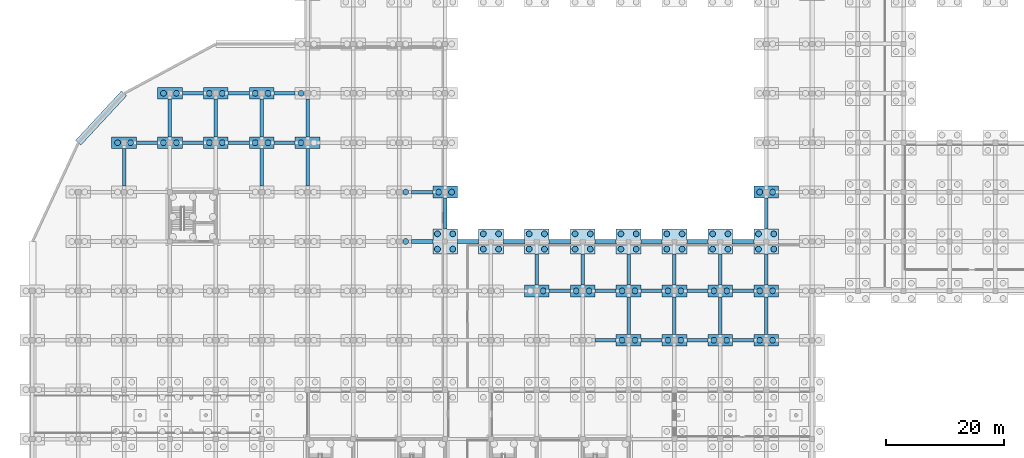
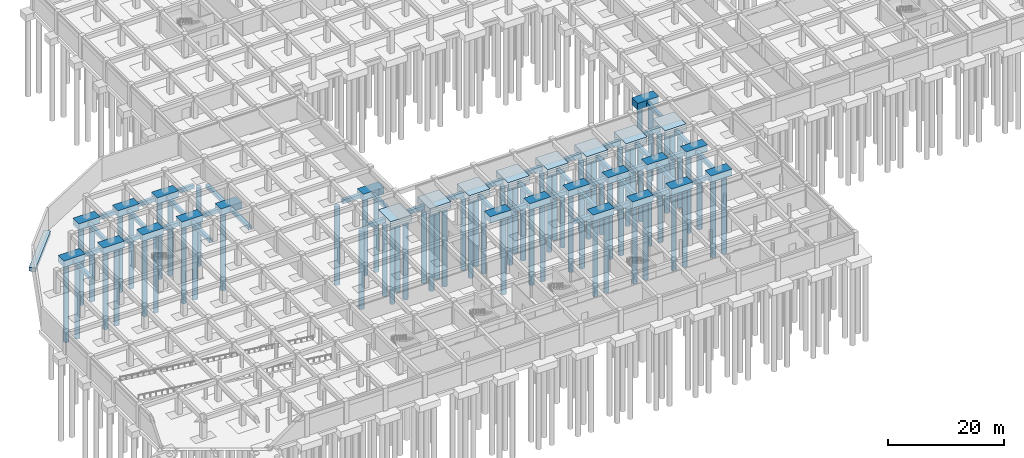
# One storey, part 5 of 31: 73 footings, 73 piles.
"""IFC4 building model written with IfcOpenShell, lengths in metres."""

from ifc_helpers import new_model, si_unit, direction, frame, origin, origin_2d, place, context, subcontext, project, spatial, rectangle, circle, extrude, material, material_profile, profile_set, type_object, element, save


model = new_model("IFC4")

# Units and contexts
model_context = context("Model", 3, precision=1e-05, world=origin(), true_north=direction((0.0, 1.0)))
body_context = subcontext(model_context, "Body", "Model", "MODEL_VIEW")
ifc_project = project(units=[si_unit("LENGTHUNIT", "METRE"), si_unit("AREAUNIT", "SQUARE_METRE"), si_unit("VOLUMEUNIT", "CUBIC_METRE"), si_unit("PLANEANGLEUNIT", "RADIAN"), si_unit("MASSUNIT", "GRAM", prefix="KILO")], contexts=[model_context])

# Site, building, storey
site_placement = place(None, origin())
site = spatial("IfcSite", under=ifc_project, at=site_placement, CompositionType="ELEMENT")
building_placement = place(site_placement, origin())
building = spatial("IfcBuilding", under=site, at=building_placement, Name="Zizhar Promenade General Hospital", CompositionType="ELEMENT")
storey_placement = place(building_placement, frame((0.0, 0.0, -4.800048828125)))
storey = spatial("IfcBuildingStorey", under=building, at=storey_placement, Name="B1", CompositionType="ELEMENT", Elevation=-4.800048828125)

# Footings
ifc_material_1 = material(Name="Concrete C30/37", Category="concrete")
footing_type_1 = type_object("IfcFootingType", Name="FTG-CAP2-4000", PredefinedType="PILE_CAP", material=ifc_material_1)
for number, where, z_axis, x_axis, name in (
    (1, (15.60009765625, 67.199951171875, -1.39990234375), (0.0, 0.0, 1.0), (1.0, 0.0, 0.0), "Pile Cap 3-J"),
    (2, (23.39990234375, 67.199951171875, -1.39990234375), (0.0, 0.0, 1.0), (1.0, 0.0, 0.0), "Pile Cap 4-J"),
    (3, (23.39990234375, 75.60009765625, -1.39990234375), (0.0, 0.0, 1.0), (1.0, 0.0, 0.0), "Pile Cap 4-K"),
    (4, (31.199951171875, 67.199951171875, -1.39990234375), (0.0, 0.0, 1.0), (1.0, 0.0, 0.0), "Pile Cap 5-J"),
    (5, (31.199951171875, 75.60009765625, -1.39990234375), (0.0, 0.0, 1.0), (1.0, 0.0, 0.0), "Pile Cap 5-K"),
    (6, (39.0, 67.199951171875, -1.39990234375), (0.0, 0.0, 1.0), (1.0, 0.0, 0.0), "Pile Cap 6-J"),
    (7, (39.0, 75.60009765625, -1.39990234375), (0.0, 0.0, 1.0), (1.0, 0.0, 0.0), "Pile Cap 6-K"),
    (8, (46.800048828125, 67.199951171875, -1.39990234375), (0.0, 0.0, 1.0), (1.0, 0.0, 0.0), "Pile Cap 7-J"),
    (9, (70.199951171875, 58.800048828125, -1.39990234375), (0.0, 0.0, 1.0), (1.0, 0.0, 0.0), "Pile Cap 10-H"),
    (10, (85.800048828125, 42.0, -1.39990234375), (0.0, 0.0, 1.0), (1.0, 0.0, 0.0), "Pile Cap 12-F"),
    (11, (93.60009765625, 42.0, -1.39990234375), (0.0, 0.0, 1.0), (1.0, 0.0, 0.0), "Pile Cap 13-F"),
    (12, (101.39990234375, 33.60009765625, -1.39990234375), (0.0, 0.0, 1.0), (1.0, 0.0, 0.0), "Pile Cap 14-E"),
    (13, (101.39990234375, 42.0, -1.39990234375), (0.0, 0.0, 1.0), (1.0, 0.0, 0.0), "Pile Cap 14-F"),
    (14, (109.199951171875, 33.60009765625, -1.39990234375), (0.0, 0.0, 1.0), (1.0, 0.0, 0.0), "Pile Cap 15-E"),
    (15, (109.199951171875, 42.0, -1.39990234375), (0.0, 0.0, 1.0), (1.0, 0.0, 0.0), "Pile Cap 15-F"),
    (16, (117.0, 33.60009765625, -1.39990234375), (0.0, 0.0, 1.0), (1.0, 0.0, 0.0), "Pile Cap 16-E"),
    (17, (117.0, 42.0, -1.39990234375), (0.0, 0.0, 1.0), (1.0, 0.0, 0.0), "Pile Cap 16-F"),
    (18, (124.800048828125, 33.60009765625, -1.39990234375), (0.0, 0.0, 1.0), (1.0, 0.0, 0.0), "Pile Cap 17-E"),
    (19, (124.800048828125, 42.0, -1.39990234375), (0.0, 0.0, 1.0), (1.0, 0.0, 0.0), "Pile Cap 17-F"),
    (20, (124.800048828125, 58.800048828125, -1.39990234375), (0.0, 0.0, 1.0), (1.0, 0.0, 0.0), "Pile Cap 17-H"),
):
    element("IfcFooting", number, at=place(storey_placement, frame(where, z_axis=z_axis, x_axis=x_axis)), inside=storey, type_object=footing_type_1, Name=name, PredefinedType="PILE_CAP", context=body_context, shape_type="SweptSolid", body=[
        extrude(rectangle(XDim=4.199951171875, YDim=2.0, at=origin_2d()), origin(), (0.0, 0.0, 1.0), 1.39990234375),
    ])
ifc_material_2 = material(Name="Concrete C30/37", Category="concrete")
footing_type_2 = type_object("IfcFootingType", Name="FTG-CAP4-4200", PredefinedType="PILE_CAP", material=ifc_material_2)
for number, where, z_axis, x_axis, name in (
    (21, (70.199951171875, 50.39990234375, -1.39990234375), (0.0, 0.0, 1.0), (1.0, 0.0, 0.0), "Pile Cap 10-G"),
    (22, (78.0, 50.39990234375, -1.39990234375), (0.0, 0.0, 1.0), (1.0, 0.0, 0.0), "Pile Cap 11-G"),
    (23, (85.800048828125, 50.39990234375, -1.39990234375), (0.0, 0.0, 1.0), (1.0, 0.0, 0.0), "Pile Cap 12-G"),
    (24, (93.60009765625, 50.39990234375, -1.39990234375), (0.0, 0.0, 1.0), (1.0, 0.0, 0.0), "Pile Cap 13-G"),
    (25, (101.39990234375, 50.39990234375, -1.39990234375), (0.0, 0.0, 1.0), (1.0, 0.0, 0.0), "Pile Cap 14-G"),
    (26, (109.199951171875, 50.39990234375, -1.39990234375), (0.0, 0.0, 1.0), (1.0, 0.0, 0.0), "Pile Cap 15-G"),
    (27, (117.0, 50.39990234375, -1.39990234375), (0.0, 0.0, 1.0), (1.0, 0.0, 0.0), "Pile Cap 16-G"),
    (28, (124.800048828125, 50.39990234375, -1.39990234375), (0.0, 0.0, 1.0), (1.0, 0.0, 0.0), "Pile Cap 17-G"),
):
    element("IfcFooting", number, at=place(storey_placement, frame(where, z_axis=z_axis, x_axis=x_axis)), inside=storey, type_object=footing_type_2, Name=name, PredefinedType="PILE_CAP", context=body_context, shape_type="SweptSolid", body=[
        extrude(rectangle(XDim=4.199951171875, YDim=4.199951171875, at=origin_2d()), origin(), (0.0, 0.0, 1.0), 1.39990234375),
    ])
ifc_material_3 = material(Name="Concrete C30/37", Category="concrete")
ifc_material_profile_1 = material_profile(ifc_material_3, rectangle(XDim=1.199951171875, YDim=0.800048828125, at=origin_2d()))
ifc_profile_set_1 = profile_set([ifc_material_profile_1], Name="Concrete C30/37")
footing_type_3 = type_object("IfcFootingType", Name="FTG-STRIP-1200", PredefinedType="STRIP_FOOTING", material=ifc_profile_set_1)
footing_1_placement = place(storey_placement, frame((15.60009765625, 75.60009765625, -0.39990234375), z_axis=(-0.680447014825, -0.732797284394, 0.0), x_axis=(0.732797284394, -0.680447014825, 0.0)))
element("IfcFooting", 29, at=footing_1_placement, inside=storey, type_object=footing_type_3, Name="Basement Wall Strip Footing B11", PredefinedType="STRIP_FOOTING", context=body_context, shape_type="SweptSolid", body=[
    extrude(rectangle(XDim=1.199951171875, YDim=0.800048828125, at=origin_2d()), origin(), (0.0, 0.0, 1.0), 11.463134765625),
])
ifc_material_4 = material(Name="Concrete C30/37", Category="concrete")
ifc_material_profile_2 = material_profile(ifc_material_4, rectangle(XDim=0.60009765625, YDim=0.800048828125, at=origin_2d()))
ifc_profile_set_2 = profile_set([ifc_material_profile_2], Name="Concrete C30/37")
footing_type_4 = type_object("IfcFootingType", Name="FTG-TIE-600x800", PredefinedType="FOOTING_BEAM", material=ifc_profile_set_2)
footing_2_placement = place(storey_placement, frame((15.60009765625, 59.800048828125, -0.800048828125), z_axis=(0.0, 1.0, 0.0), x_axis=(-1.0, 0.0, 0.0)))
element("IfcFooting", 30, at=footing_2_placement, inside=storey, type_object=footing_type_4, Name="Seismic Ground Tie Beam Y-2-7", PredefinedType="FOOTING_BEAM", context=body_context, shape_type="SweptSolid", body=[
    extrude(rectangle(XDim=0.60009765625, YDim=0.800048828125, at=origin_2d()), origin(), (0.0, 0.0, 1.0), 6.39990234375),
])
for number, where, z_axis, x_axis, name in (
    (31, (17.699951171875, 67.199951171875, -0.800048828125), (1.0, 0.0, 0.0), (0.0, 1.0, 0.0), "Seismic Ground Tie Beam X-2-8"),
    (32, (25.5, 67.199951171875, -0.800048828125), (1.0, 0.0, 0.0), (0.0, 1.0, 0.0), "Seismic Ground Tie Beam X-3-8"),
):
    element("IfcFooting", number, at=place(storey_placement, frame(where, z_axis=z_axis, x_axis=x_axis)), inside=storey, type_object=footing_type_4, Name=name, PredefinedType="FOOTING_BEAM", context=body_context, shape_type="SweptSolid", body=[
        extrude(rectangle(XDim=0.60009765625, YDim=0.800048828125, at=origin_2d()), origin(), (0.0, 0.0, 1.0), 3.60009765625),
    ])
footing_3_placement = place(storey_placement, frame((23.39990234375, 68.199951171875, -0.800048828125), z_axis=(0.0, 1.0, 0.0), x_axis=(-1.0, 0.0, 0.0)))
element("IfcFooting", 33, at=footing_3_placement, inside=storey, type_object=footing_type_4, Name="Seismic Ground Tie Beam Y-3-8", PredefinedType="FOOTING_BEAM", context=body_context, shape_type="SweptSolid", body=[
    extrude(rectangle(XDim=0.60009765625, YDim=0.800048828125, at=origin_2d()), origin(), (0.0, 0.0, 1.0), 6.400146484375),
])
footing_4_placement = place(storey_placement, frame((25.5, 75.60009765625, -0.800048828125), z_axis=(1.0, 0.0, 0.0), x_axis=(0.0, 1.0, 0.0)))
element("IfcFooting", 34, at=footing_4_placement, inside=storey, type_object=footing_type_4, Name="Seismic Ground Tie Beam X-3-9", PredefinedType="FOOTING_BEAM", context=body_context, shape_type="SweptSolid", body=[
    extrude(rectangle(XDim=0.60009765625, YDim=0.800048828125, at=origin_2d()), origin(), (0.0, 0.0, 1.0), 3.60009765625),
])
footing_5_placement = place(storey_placement, frame((33.300048828125, 67.199951171875, -0.800048828125), z_axis=(1.0, 0.0, 0.0), x_axis=(0.0, 1.0, 0.0)))
element("IfcFooting", 35, at=footing_5_placement, inside=storey, type_object=footing_type_4, Name="Seismic Ground Tie Beam X-4-8", PredefinedType="FOOTING_BEAM", context=body_context, shape_type="SweptSolid", body=[
    extrude(rectangle(XDim=0.60009765625, YDim=0.800048828125, at=origin_2d()), origin(), (0.0, 0.0, 1.0), 3.599853515625),
])
footing_6_placement = place(storey_placement, frame((31.199951171875, 68.199951171875, -0.800048828125), z_axis=(0.0, 1.0, 0.0), x_axis=(-1.0, 0.0, 0.0)))
element("IfcFooting", 36, at=footing_6_placement, inside=storey, type_object=footing_type_4, Name="Seismic Ground Tie Beam Y-4-8", PredefinedType="FOOTING_BEAM", context=body_context, shape_type="SweptSolid", body=[
    extrude(rectangle(XDim=0.60009765625, YDim=0.800048828125, at=origin_2d()), origin(), (0.0, 0.0, 1.0), 6.400146484375),
])
footing_7_placement = place(storey_placement, frame((33.300048828125, 75.60009765625, -0.800048828125), z_axis=(1.0, 0.0, 0.0), x_axis=(0.0, 1.0, 0.0)))
element("IfcFooting", 37, at=footing_7_placement, inside=storey, type_object=footing_type_4, Name="Seismic Ground Tie Beam X-4-9", PredefinedType="FOOTING_BEAM", context=body_context, shape_type="SweptSolid", body=[
    extrude(rectangle(XDim=0.60009765625, YDim=0.800048828125, at=origin_2d()), origin(), (0.0, 0.0, 1.0), 3.599853515625),
])
footing_8_placement = place(storey_placement, frame((39.0, 59.800048828125, -0.800048828125), z_axis=(0.0, 1.0, 0.0), x_axis=(-1.0, 0.0, 0.0)))
element("IfcFooting", 38, at=footing_8_placement, inside=storey, type_object=footing_type_4, Name="Seismic Ground Tie Beam Y-5-7", PredefinedType="FOOTING_BEAM", context=body_context, shape_type="SweptSolid", body=[
    extrude(rectangle(XDim=0.60009765625, YDim=0.800048828125, at=origin_2d()), origin(), (0.0, 0.0, 1.0), 6.39990234375),
])
footing_9_placement = place(storey_placement, frame((41.10009765625, 67.199951171875, -0.800048828125), z_axis=(1.0, 0.0, 0.0), x_axis=(0.0, 1.0, 0.0)))
element("IfcFooting", 39, at=footing_9_placement, inside=storey, type_object=footing_type_4, Name="Seismic Ground Tie Beam X-5-8", PredefinedType="FOOTING_BEAM", context=body_context, shape_type="SweptSolid", body=[
    extrude(rectangle(XDim=0.60009765625, YDim=0.800048828125, at=origin_2d()), origin(), (0.0, 0.0, 1.0), 3.599853515625),
])
footing_10_placement = place(storey_placement, frame((39.0, 68.199951171875, -0.800048828125), z_axis=(0.0, 1.0, 0.0), x_axis=(-1.0, 0.0, 0.0)))
element("IfcFooting", 40, at=footing_10_placement, inside=storey, type_object=footing_type_4, Name="Seismic Ground Tie Beam Y-5-8", PredefinedType="FOOTING_BEAM", context=body_context, shape_type="SweptSolid", body=[
    extrude(rectangle(XDim=0.60009765625, YDim=0.800048828125, at=origin_2d()), origin(), (0.0, 0.0, 1.0), 6.400146484375),
])
footing_11_placement = place(storey_placement, frame((41.10009765625, 75.60009765625, -0.800048828125), z_axis=(1.0, 0.0, 0.0), x_axis=(0.0, 1.0, 0.0)))
element("IfcFooting", 41, at=footing_11_placement, inside=storey, type_object=footing_type_4, Name="Seismic Ground Tie Beam X-5-9", PredefinedType="FOOTING_BEAM", context=body_context, shape_type="SweptSolid", body=[
    extrude(rectangle(XDim=0.60009765625, YDim=0.800048828125, at=origin_2d()), origin(), (0.0, 0.0, 1.0), 3.599853515625),
])
footing_12_placement = place(storey_placement, frame((46.800048828125, 59.800048828125, -0.800048828125), z_axis=(0.0, 1.0, 0.0), x_axis=(-1.0, 0.0, 0.0)))
element("IfcFooting", 42, at=footing_12_placement, inside=storey, type_object=footing_type_4, Name="Seismic Ground Tie Beam Y-6-7", PredefinedType="FOOTING_BEAM", context=body_context, shape_type="SweptSolid", body=[
    extrude(rectangle(XDim=0.60009765625, YDim=0.800048828125, at=origin_2d()), origin(), (0.0, 0.0, 1.0), 6.39990234375),
])
footing_13_placement = place(storey_placement, frame((46.800048828125, 68.199951171875, -0.800048828125), z_axis=(0.0, 1.0, 0.0), x_axis=(-1.0, 0.0, 0.0)))
element("IfcFooting", 43, at=footing_13_placement, inside=storey, type_object=footing_type_4, Name="Seismic Ground Tie Beam Y-6-8", PredefinedType="FOOTING_BEAM", context=body_context, shape_type="SweptSolid", body=[
    extrude(rectangle(XDim=0.60009765625, YDim=0.800048828125, at=origin_2d()), origin(), (0.0, 0.0, 1.0), 6.400146484375),
])
for number, where, z_axis, x_axis, name in (
    (44, (64.5, 50.39990234375, -0.800048828125), (1.0, 0.0, 0.0), (0.0, 1.0, 0.0), "Seismic Ground Tie Beam X-8-6"),
    (45, (64.5, 58.800048828125, -0.800048828125), (1.0, 0.0, 0.0), (0.0, 1.0, 0.0), "Seismic Ground Tie Beam X-8-7"),
):
    element("IfcFooting", number, at=place(storey_placement, frame(where, z_axis=z_axis, x_axis=x_axis)), inside=storey, type_object=footing_type_4, Name=name, PredefinedType="FOOTING_BEAM", context=body_context, shape_type="SweptSolid", body=[
        extrude(rectangle(XDim=0.60009765625, YDim=0.800048828125, at=origin_2d()), origin(), (0.0, 0.0, 1.0), 3.60009765625),
    ])
footing_14_placement = place(storey_placement, frame((72.300048828125, 50.39990234375, -0.800048828125), z_axis=(1.0, 0.0, 0.0), x_axis=(0.0, 1.0, 0.0)))
element("IfcFooting", 46, at=footing_14_placement, inside=storey, type_object=footing_type_4, Name="Seismic Ground Tie Beam X-9-6", PredefinedType="FOOTING_BEAM", context=body_context, shape_type="SweptSolid", body=[
    extrude(rectangle(XDim=0.60009765625, YDim=0.800048828125, at=origin_2d()), origin(), (0.0, 0.0, 1.0), 3.599853515625),
])
footing_15_placement = place(storey_placement, frame((70.199951171875, 52.5, -0.800048828125), z_axis=(0.0, 1.0, 0.0), x_axis=(-1.0, 0.0, 0.0)))
element("IfcFooting", 47, at=footing_15_placement, inside=storey, type_object=footing_type_4, Name="Seismic Ground Tie Beam Y-9-6", PredefinedType="FOOTING_BEAM", context=body_context, shape_type="SweptSolid", body=[
    extrude(rectangle(XDim=0.60009765625, YDim=0.800048828125, at=origin_2d()), origin(), (0.0, 0.0, 1.0), 5.300048828125),
])
footing_16_placement = place(storey_placement, frame((80.10009765625, 50.39990234375, -0.800048828125), z_axis=(1.0, 0.0, 0.0), x_axis=(0.0, 1.0, 0.0)))
element("IfcFooting", 48, at=footing_16_placement, inside=storey, type_object=footing_type_4, Name="Seismic Ground Tie Beam X-10-6", PredefinedType="FOOTING_BEAM", context=body_context, shape_type="SweptSolid", body=[
    extrude(rectangle(XDim=0.60009765625, YDim=0.800048828125, at=origin_2d()), origin(), (0.0, 0.0, 1.0), 3.599853515625),
])
footing_17_placement = place(storey_placement, frame((87.89990234375, 42.0, -0.800048828125), z_axis=(1.0, 0.0, 0.0), x_axis=(0.0, 1.0, 0.0)))
element("IfcFooting", 49, at=footing_17_placement, inside=storey, type_object=footing_type_4, Name="Seismic Ground Tie Beam X-11-5", PredefinedType="FOOTING_BEAM", context=body_context, shape_type="SweptSolid", body=[
    extrude(rectangle(XDim=0.60009765625, YDim=0.800048828125, at=origin_2d()), origin(), (0.0, 0.0, 1.0), 3.60009765625),
])
footing_18_placement = place(storey_placement, frame((85.800048828125, 43.0, -0.800048828125), z_axis=(0.0, 1.0, 0.0), x_axis=(-1.0, 0.0, 0.0)))
element("IfcFooting", 50, at=footing_18_placement, inside=storey, type_object=footing_type_4, Name="Seismic Ground Tie Beam Y-11-5", PredefinedType="FOOTING_BEAM", context=body_context, shape_type="SweptSolid", body=[
    extrude(rectangle(XDim=0.60009765625, YDim=0.800048828125, at=origin_2d()), origin(), (0.0, 0.0, 1.0), 5.300048828125),
])
for number, where, z_axis, x_axis, name in (
    (51, (87.89990234375, 50.39990234375, -0.800048828125), (1.0, 0.0, 0.0), (0.0, 1.0, 0.0), "Seismic Ground Tie Beam X-11-6"),
    (52, (95.699951171875, 33.60009765625, -0.800048828125), (1.0, 0.0, 0.0), (0.0, 1.0, 0.0), "Seismic Ground Tie Beam X-12-4"),
    (53, (95.699951171875, 42.0, -0.800048828125), (1.0, 0.0, 0.0), (0.0, 1.0, 0.0), "Seismic Ground Tie Beam X-12-5"),
):
    element("IfcFooting", number, at=place(storey_placement, frame(where, z_axis=z_axis, x_axis=x_axis)), inside=storey, type_object=footing_type_4, Name=name, PredefinedType="FOOTING_BEAM", context=body_context, shape_type="SweptSolid", body=[
        extrude(rectangle(XDim=0.60009765625, YDim=0.800048828125, at=origin_2d()), origin(), (0.0, 0.0, 1.0), 3.60009765625),
    ])
footing_19_placement = place(storey_placement, frame((93.60009765625, 43.0, -0.800048828125), z_axis=(0.0, 1.0, 0.0), x_axis=(-1.0, 0.0, 0.0)))
element("IfcFooting", 54, at=footing_19_placement, inside=storey, type_object=footing_type_4, Name="Seismic Ground Tie Beam Y-12-5", PredefinedType="FOOTING_BEAM", context=body_context, shape_type="SweptSolid", body=[
    extrude(rectangle(XDim=0.60009765625, YDim=0.800048828125, at=origin_2d()), origin(), (0.0, 0.0, 1.0), 5.300048828125),
])
for number, where, z_axis, x_axis, name in (
    (55, (95.699951171875, 50.39990234375, -0.800048828125), (1.0, 0.0, 0.0), (0.0, 1.0, 0.0), "Seismic Ground Tie Beam X-12-6"),
    (56, (103.5, 33.60009765625, -0.800048828125), (1.0, 0.0, 0.0), (0.0, 1.0, 0.0), "Seismic Ground Tie Beam X-13-4"),
):
    element("IfcFooting", number, at=place(storey_placement, frame(where, z_axis=z_axis, x_axis=x_axis)), inside=storey, type_object=footing_type_4, Name=name, PredefinedType="FOOTING_BEAM", context=body_context, shape_type="SweptSolid", body=[
        extrude(rectangle(XDim=0.60009765625, YDim=0.800048828125, at=origin_2d()), origin(), (0.0, 0.0, 1.0), 3.60009765625),
    ])
footing_20_placement = place(storey_placement, frame((101.39990234375, 34.60009765625, -0.800048828125), z_axis=(0.0, 1.0, 0.0), x_axis=(-1.0, 0.0, 0.0)))
element("IfcFooting", 57, at=footing_20_placement, inside=storey, type_object=footing_type_4, Name="Seismic Ground Tie Beam Y-13-4", PredefinedType="FOOTING_BEAM", context=body_context, shape_type="SweptSolid", body=[
    extrude(rectangle(XDim=0.60009765625, YDim=0.800048828125, at=origin_2d()), origin(), (0.0, 0.0, 1.0), 6.39990234375),
])
footing_21_placement = place(storey_placement, frame((103.5, 42.0, -0.800048828125), z_axis=(1.0, 0.0, 0.0), x_axis=(0.0, 1.0, 0.0)))
element("IfcFooting", 58, at=footing_21_placement, inside=storey, type_object=footing_type_4, Name="Seismic Ground Tie Beam X-13-5", PredefinedType="FOOTING_BEAM", context=body_context, shape_type="SweptSolid", body=[
    extrude(rectangle(XDim=0.60009765625, YDim=0.800048828125, at=origin_2d()), origin(), (0.0, 0.0, 1.0), 3.60009765625),
])
footing_22_placement = place(storey_placement, frame((101.39990234375, 43.0, -0.800048828125), z_axis=(0.0, 1.0, 0.0), x_axis=(-1.0, 0.0, 0.0)))
element("IfcFooting", 59, at=footing_22_placement, inside=storey, type_object=footing_type_4, Name="Seismic Ground Tie Beam Y-13-5", PredefinedType="FOOTING_BEAM", context=body_context, shape_type="SweptSolid", body=[
    extrude(rectangle(XDim=0.60009765625, YDim=0.800048828125, at=origin_2d()), origin(), (0.0, 0.0, 1.0), 5.300048828125),
])
footing_23_placement = place(storey_placement, frame((103.5, 50.39990234375, -0.800048828125), z_axis=(1.0, 0.0, 0.0), x_axis=(0.0, 1.0, 0.0)))
element("IfcFooting", 60, at=footing_23_placement, inside=storey, type_object=footing_type_4, Name="Seismic Ground Tie Beam X-13-6", PredefinedType="FOOTING_BEAM", context=body_context, shape_type="SweptSolid", body=[
    extrude(rectangle(XDim=0.60009765625, YDim=0.800048828125, at=origin_2d()), origin(), (0.0, 0.0, 1.0), 3.60009765625),
])
footing_24_placement = place(storey_placement, frame((111.300048828125, 33.60009765625, -0.800048828125), z_axis=(1.0, 0.0, 0.0), x_axis=(0.0, 1.0, 0.0)))
element("IfcFooting", 61, at=footing_24_placement, inside=storey, type_object=footing_type_4, Name="Seismic Ground Tie Beam X-14-4", PredefinedType="FOOTING_BEAM", context=body_context, shape_type="SweptSolid", body=[
    extrude(rectangle(XDim=0.60009765625, YDim=0.800048828125, at=origin_2d()), origin(), (0.0, 0.0, 1.0), 3.599853515625),
])
footing_25_placement = place(storey_placement, frame((109.199951171875, 34.60009765625, -0.800048828125), z_axis=(0.0, 1.0, 0.0), x_axis=(-1.0, 0.0, 0.0)))
element("IfcFooting", 62, at=footing_25_placement, inside=storey, type_object=footing_type_4, Name="Seismic Ground Tie Beam Y-14-4", PredefinedType="FOOTING_BEAM", context=body_context, shape_type="SweptSolid", body=[
    extrude(rectangle(XDim=0.60009765625, YDim=0.800048828125, at=origin_2d()), origin(), (0.0, 0.0, 1.0), 6.39990234375),
])
footing_26_placement = place(storey_placement, frame((111.300048828125, 42.0, -0.800048828125), z_axis=(1.0, 0.0, 0.0), x_axis=(0.0, 1.0, 0.0)))
element("IfcFooting", 63, at=footing_26_placement, inside=storey, type_object=footing_type_4, Name="Seismic Ground Tie Beam X-14-5", PredefinedType="FOOTING_BEAM", context=body_context, shape_type="SweptSolid", body=[
    extrude(rectangle(XDim=0.60009765625, YDim=0.800048828125, at=origin_2d()), origin(), (0.0, 0.0, 1.0), 3.599853515625),
])
footing_27_placement = place(storey_placement, frame((109.199951171875, 43.0, -0.800048828125), z_axis=(0.0, 1.0, 0.0), x_axis=(-1.0, 0.0, 0.0)))
element("IfcFooting", 64, at=footing_27_placement, inside=storey, type_object=footing_type_4, Name="Seismic Ground Tie Beam Y-14-5", PredefinedType="FOOTING_BEAM", context=body_context, shape_type="SweptSolid", body=[
    extrude(rectangle(XDim=0.60009765625, YDim=0.800048828125, at=origin_2d()), origin(), (0.0, 0.0, 1.0), 5.300048828125),
])
for number, where, z_axis, x_axis, name in (
    (65, (111.300048828125, 50.39990234375, -0.800048828125), (1.0, 0.0, 0.0), (0.0, 1.0, 0.0), "Seismic Ground Tie Beam X-14-6"),
    (66, (119.10009765625, 33.60009765625, -0.800048828125), (1.0, 0.0, 0.0), (0.0, 1.0, 0.0), "Seismic Ground Tie Beam X-15-4"),
):
    element("IfcFooting", number, at=place(storey_placement, frame(where, z_axis=z_axis, x_axis=x_axis)), inside=storey, type_object=footing_type_4, Name=name, PredefinedType="FOOTING_BEAM", context=body_context, shape_type="SweptSolid", body=[
        extrude(rectangle(XDim=0.60009765625, YDim=0.800048828125, at=origin_2d()), origin(), (0.0, 0.0, 1.0), 3.599853515625),
    ])
footing_28_placement = place(storey_placement, frame((117.0, 34.60009765625, -0.800048828125), z_axis=(0.0, 1.0, 0.0), x_axis=(-1.0, 0.0, 0.0)))
element("IfcFooting", 67, at=footing_28_placement, inside=storey, type_object=footing_type_4, Name="Seismic Ground Tie Beam Y-15-4", PredefinedType="FOOTING_BEAM", context=body_context, shape_type="SweptSolid", body=[
    extrude(rectangle(XDim=0.60009765625, YDim=0.800048828125, at=origin_2d()), origin(), (0.0, 0.0, 1.0), 6.39990234375),
])
footing_29_placement = place(storey_placement, frame((119.10009765625, 42.0, -0.800048828125), z_axis=(1.0, 0.0, 0.0), x_axis=(0.0, 1.0, 0.0)))
element("IfcFooting", 68, at=footing_29_placement, inside=storey, type_object=footing_type_4, Name="Seismic Ground Tie Beam X-15-5", PredefinedType="FOOTING_BEAM", context=body_context, shape_type="SweptSolid", body=[
    extrude(rectangle(XDim=0.60009765625, YDim=0.800048828125, at=origin_2d()), origin(), (0.0, 0.0, 1.0), 3.599853515625),
])
footing_30_placement = place(storey_placement, frame((117.0, 43.0, -0.800048828125), z_axis=(0.0, 1.0, 0.0), x_axis=(-1.0, 0.0, 0.0)))
element("IfcFooting", 69, at=footing_30_placement, inside=storey, type_object=footing_type_4, Name="Seismic Ground Tie Beam Y-15-5", PredefinedType="FOOTING_BEAM", context=body_context, shape_type="SweptSolid", body=[
    extrude(rectangle(XDim=0.60009765625, YDim=0.800048828125, at=origin_2d()), origin(), (0.0, 0.0, 1.0), 5.300048828125),
])
footing_31_placement = place(storey_placement, frame((119.10009765625, 50.39990234375, -0.800048828125), z_axis=(1.0, 0.0, 0.0), x_axis=(0.0, 1.0, 0.0)))
element("IfcFooting", 70, at=footing_31_placement, inside=storey, type_object=footing_type_4, Name="Seismic Ground Tie Beam X-15-6", PredefinedType="FOOTING_BEAM", context=body_context, shape_type="SweptSolid", body=[
    extrude(rectangle(XDim=0.60009765625, YDim=0.800048828125, at=origin_2d()), origin(), (0.0, 0.0, 1.0), 3.599853515625),
])
footing_32_placement = place(storey_placement, frame((124.800048828125, 34.60009765625, -0.800048828125), z_axis=(0.0, 1.0, 0.0), x_axis=(-1.0, 0.0, 0.0)))
element("IfcFooting", 71, at=footing_32_placement, inside=storey, type_object=footing_type_4, Name="Seismic Ground Tie Beam Y-16-4", PredefinedType="FOOTING_BEAM", context=body_context, shape_type="SweptSolid", body=[
    extrude(rectangle(XDim=0.60009765625, YDim=0.800048828125, at=origin_2d()), origin(), (0.0, 0.0, 1.0), 6.39990234375),
])
for number, where, z_axis, x_axis, name in (
    (72, (124.800048828125, 43.0, -0.800048828125), (0.0, 1.0, 0.0), (-1.0, 0.0, 0.0), "Seismic Ground Tie Beam Y-16-5"),
    (73, (124.800048828125, 52.5, -0.800048828125), (0.0, 1.0, 0.0), (-1.0, 0.0, 0.0), "Seismic Ground Tie Beam Y-16-6"),
):
    element("IfcFooting", number, at=place(storey_placement, frame(where, z_axis=z_axis, x_axis=x_axis)), inside=storey, type_object=footing_type_4, Name=name, PredefinedType="FOOTING_BEAM", context=body_context, shape_type="SweptSolid", body=[
        extrude(rectangle(XDim=0.60009765625, YDim=0.800048828125, at=origin_2d()), origin(), (0.0, 0.0, 1.0), 5.300048828125),
    ])

# Piles
ifc_material_5 = material(Name="Concrete C30/37", Category="concrete")
ifc_material_profile_3 = material_profile(ifc_material_5, circle(Radius=0.5, at=origin_2d()))
ifc_profile_set_3 = profile_set([ifc_material_profile_3], Name="Concrete C30/37")
pile_type = type_object("IfcPileType", Name="PIL-BORED-1000", PredefinedType="BORED", material=ifc_profile_set_3)
for number, where, z_axis, x_axis, name in (
    (74, (14.5, 67.199951171875, -1.300048828125), (0.0, 0.0, -1.0), (1.0, 0.0, 0.0), "Bored Pile 3-J-1"),
    (75, (16.699951171875, 67.199951171875, -1.300048828125), (0.0, 0.0, -1.0), (1.0, 0.0, 0.0), "Bored Pile 3-J-2"),
    (76, (22.300048828125, 67.199951171875, -1.300048828125), (0.0, 0.0, -1.0), (1.0, 0.0, 0.0), "Bored Pile 4-J-1"),
    (77, (24.5, 67.199951171875, -1.300048828125), (0.0, 0.0, -1.0), (1.0, 0.0, 0.0), "Bored Pile 4-J-2"),
    (78, (22.300048828125, 75.60009765625, -1.300048828125), (0.0, 0.0, -1.0), (1.0, 0.0, 0.0), "Bored Pile 4-K-1"),
    (79, (24.5, 75.60009765625, -1.300048828125), (0.0, 0.0, -1.0), (1.0, 0.0, 0.0), "Bored Pile 4-K-2"),
    (80, (30.10009765625, 67.199951171875, -1.300048828125), (0.0, 0.0, -1.0), (1.0, 0.0, 0.0), "Bored Pile 5-J-1"),
    (81, (32.300048828125, 67.199951171875, -1.300048828125), (0.0, 0.0, -1.0), (1.0, 0.0, 0.0), "Bored Pile 5-J-2"),
    (82, (30.10009765625, 75.60009765625, -1.300048828125), (0.0, 0.0, -1.0), (1.0, 0.0, 0.0), "Bored Pile 5-K-1"),
    (83, (32.300048828125, 75.60009765625, -1.300048828125), (0.0, 0.0, -1.0), (1.0, 0.0, 0.0), "Bored Pile 5-K-2"),
    (84, (37.89990234375, 67.199951171875, -1.300048828125), (0.0, 0.0, -1.0), (1.0, 0.0, 0.0), "Bored Pile 6-J-1"),
    (85, (40.10009765625, 67.199951171875, -1.300048828125), (0.0, 0.0, -1.0), (1.0, 0.0, 0.0), "Bored Pile 6-J-2"),
    (86, (37.89990234375, 75.60009765625, -1.300048828125), (0.0, 0.0, -1.0), (1.0, 0.0, 0.0), "Bored Pile 6-K-1"),
    (87, (40.10009765625, 75.60009765625, -1.300048828125), (0.0, 0.0, -1.0), (1.0, 0.0, 0.0), "Bored Pile 6-K-2"),
    (88, (45.699951171875, 67.199951171875, -1.300048828125), (0.0, 0.0, -1.0), (1.0, 0.0, 0.0), "Bored Pile 7-J-1"),
    (89, (45.699951171875, 75.60009765625, -1.300048828125), (0.0, 0.0, -1.0), (1.0, 0.0, 0.0), "Bored Pile 7-K-1"),
    (90, (63.5, 50.39990234375, -1.300048828125), (0.0, 0.0, -1.0), (1.0, 0.0, 0.0), "Bored Pile 9-G-2"),
    (91, (63.5, 58.800048828125, -1.300048828125), (0.0, 0.0, -1.0), (1.0, 0.0, 0.0), "Bored Pile 9-H-2"),
    (92, (68.89990234375, 49.10009765625, -1.300048828125), (0.0, 0.0, -1.0), (1.0, 0.0, 0.0), "Bored Pile 10-G-1"),
    (93, (68.89990234375, 51.699951171875, -1.300048828125), (0.0, 0.0, -1.0), (1.0, 0.0, 0.0), "Bored Pile 10-G-2"),
    (94, (71.5, 49.10009765625, -1.300048828125), (0.0, 0.0, -1.0), (1.0, 0.0, 0.0), "Bored Pile 10-G-3"),
    (95, (71.5, 51.699951171875, -1.300048828125), (0.0, 0.0, -1.0), (1.0, 0.0, 0.0), "Bored Pile 10-G-4"),
    (96, (69.10009765625, 58.800048828125, -1.300048828125), (0.0, 0.0, -1.0), (1.0, 0.0, 0.0), "Bored Pile 10-H-1"),
    (97, (71.300048828125, 58.800048828125, -1.300048828125), (0.0, 0.0, -1.0), (1.0, 0.0, 0.0), "Bored Pile 10-H-2"),
    (98, (76.699951171875, 49.10009765625, -1.300048828125), (0.0, 0.0, -1.0), (1.0, 0.0, 0.0), "Bored Pile 11-G-1"),
    (99, (76.699951171875, 51.699951171875, -1.300048828125), (0.0, 0.0, -1.0), (1.0, 0.0, 0.0), "Bored Pile 11-G-2"),
    (100, (79.300048828125, 49.10009765625, -1.300048828125), (0.0, 0.0, -1.0), (1.0, 0.0, 0.0), "Bored Pile 11-G-3"),
    (101, (79.300048828125, 51.699951171875, -1.300048828125), (0.0, 0.0, -1.0), (1.0, 0.0, 0.0), "Bored Pile 11-G-4"),
    (102, (86.89990234375, 42.0, -1.300048828125), (0.0, 0.0, -1.0), (1.0, 0.0, 0.0), "Bored Pile 12-F-2"),
    (103, (84.5, 49.10009765625, -1.300048828125), (0.0, 0.0, -1.0), (1.0, 0.0, 0.0), "Bored Pile 12-G-1"),
    (104, (84.5, 51.699951171875, -1.300048828125), (0.0, 0.0, -1.0), (1.0, 0.0, 0.0), "Bored Pile 12-G-2"),
    (105, (87.10009765625, 49.10009765625, -1.300048828125), (0.0, 0.0, -1.0), (1.0, 0.0, 0.0), "Bored Pile 12-G-3"),
    (106, (87.10009765625, 51.699951171875, -1.300048828125), (0.0, 0.0, -1.0), (1.0, 0.0, 0.0), "Bored Pile 12-G-4"),
    (107, (92.5, 42.0, -1.300048828125), (0.0, 0.0, -1.0), (1.0, 0.0, 0.0), "Bored Pile 13-F-1"),
    (108, (94.699951171875, 42.0, -1.300048828125), (0.0, 0.0, -1.0), (1.0, 0.0, 0.0), "Bored Pile 13-F-2"),
    (109, (92.300048828125, 49.10009765625, -1.300048828125), (0.0, 0.0, -1.0), (1.0, 0.0, 0.0), "Bored Pile 13-G-1"),
    (110, (92.300048828125, 51.699951171875, -1.300048828125), (0.0, 0.0, -1.0), (1.0, 0.0, 0.0), "Bored Pile 13-G-2"),
    (111, (94.89990234375, 49.10009765625, -1.300048828125), (0.0, 0.0, -1.0), (1.0, 0.0, 0.0), "Bored Pile 13-G-3"),
    (112, (94.89990234375, 51.699951171875, -1.300048828125), (0.0, 0.0, -1.0), (1.0, 0.0, 0.0), "Bored Pile 13-G-4"),
    (113, (100.300048828125, 33.60009765625, -1.300048828125), (0.0, 0.0, -1.0), (1.0, 0.0, 0.0), "Bored Pile 14-E-1"),
    (114, (102.5, 33.60009765625, -1.300048828125), (0.0, 0.0, -1.0), (1.0, 0.0, 0.0), "Bored Pile 14-E-2"),
    (115, (100.300048828125, 42.0, -1.300048828125), (0.0, 0.0, -1.0), (1.0, 0.0, 0.0), "Bored Pile 14-F-1"),
    (116, (102.5, 42.0, -1.300048828125), (0.0, 0.0, -1.0), (1.0, 0.0, 0.0), "Bored Pile 14-F-2"),
    (117, (100.10009765625, 49.10009765625, -1.300048828125), (0.0, 0.0, -1.0), (1.0, 0.0, 0.0), "Bored Pile 14-G-1"),
    (118, (100.10009765625, 51.699951171875, -1.300048828125), (0.0, 0.0, -1.0), (1.0, 0.0, 0.0), "Bored Pile 14-G-2"),
    (119, (102.699951171875, 49.10009765625, -1.300048828125), (0.0, 0.0, -1.0), (1.0, 0.0, 0.0), "Bored Pile 14-G-3"),
    (120, (102.699951171875, 51.699951171875, -1.300048828125), (0.0, 0.0, -1.0), (1.0, 0.0, 0.0), "Bored Pile 14-G-4"),
    (121, (108.10009765625, 33.60009765625, -1.300048828125), (0.0, 0.0, -1.0), (1.0, 0.0, 0.0), "Bored Pile 15-E-1"),
    (122, (110.300048828125, 33.60009765625, -1.300048828125), (0.0, 0.0, -1.0), (1.0, 0.0, 0.0), "Bored Pile 15-E-2"),
    (123, (108.10009765625, 42.0, -1.300048828125), (0.0, 0.0, -1.0), (1.0, 0.0, 0.0), "Bored Pile 15-F-1"),
    (124, (110.300048828125, 42.0, -1.300048828125), (0.0, 0.0, -1.0), (1.0, 0.0, 0.0), "Bored Pile 15-F-2"),
    (125, (107.89990234375, 49.10009765625, -1.300048828125), (0.0, 0.0, -1.0), (1.0, 0.0, 0.0), "Bored Pile 15-G-1"),
    (126, (107.89990234375, 51.699951171875, -1.300048828125), (0.0, 0.0, -1.0), (1.0, 0.0, 0.0), "Bored Pile 15-G-2"),
    (127, (110.5, 49.10009765625, -1.300048828125), (0.0, 0.0, -1.0), (1.0, 0.0, 0.0), "Bored Pile 15-G-3"),
    (128, (110.5, 51.699951171875, -1.300048828125), (0.0, 0.0, -1.0), (1.0, 0.0, 0.0), "Bored Pile 15-G-4"),
    (129, (115.89990234375, 33.60009765625, -1.300048828125), (0.0, 0.0, -1.0), (1.0, 0.0, 0.0), "Bored Pile 16-E-1"),
    (130, (118.10009765625, 33.60009765625, -1.300048828125), (0.0, 0.0, -1.0), (1.0, 0.0, 0.0), "Bored Pile 16-E-2"),
    (131, (115.89990234375, 42.0, -1.300048828125), (0.0, 0.0, -1.0), (1.0, 0.0, 0.0), "Bored Pile 16-F-1"),
    (132, (118.10009765625, 42.0, -1.300048828125), (0.0, 0.0, -1.0), (1.0, 0.0, 0.0), "Bored Pile 16-F-2"),
    (133, (115.699951171875, 49.10009765625, -1.300048828125), (0.0, 0.0, -1.0), (1.0, 0.0, 0.0), "Bored Pile 16-G-1"),
    (134, (115.699951171875, 51.699951171875, -1.300048828125), (0.0, 0.0, -1.0), (1.0, 0.0, 0.0), "Bored Pile 16-G-2"),
    (135, (118.300048828125, 49.10009765625, -1.300048828125), (0.0, 0.0, -1.0), (1.0, 0.0, 0.0), "Bored Pile 16-G-3"),
    (136, (118.300048828125, 51.699951171875, -1.300048828125), (0.0, 0.0, -1.0), (1.0, 0.0, 0.0), "Bored Pile 16-G-4"),
    (137, (123.699951171875, 33.60009765625, -1.300048828125), (0.0, 0.0, -1.0), (1.0, 0.0, 0.0), "Bored Pile 17-E-1"),
    (138, (125.89990234375, 33.60009765625, -1.300048828125), (0.0, 0.0, -1.0), (1.0, 0.0, 0.0), "Bored Pile 17-E-2"),
    (139, (123.699951171875, 42.0, -1.300048828125), (0.0, 0.0, -1.0), (1.0, 0.0, 0.0), "Bored Pile 17-F-1"),
    (140, (125.89990234375, 42.0, -1.300048828125), (0.0, 0.0, -1.0), (1.0, 0.0, 0.0), "Bored Pile 17-F-2"),
    (141, (123.5, 49.10009765625, -1.300048828125), (0.0, 0.0, -1.0), (1.0, 0.0, 0.0), "Bored Pile 17-G-1"),
    (142, (123.5, 51.699951171875, -1.300048828125), (0.0, 0.0, -1.0), (1.0, 0.0, 0.0), "Bored Pile 17-G-2"),
    (143, (126.10009765625, 49.10009765625, -1.300048828125), (0.0, 0.0, -1.0), (1.0, 0.0, 0.0), "Bored Pile 17-G-3"),
    (144, (126.10009765625, 51.699951171875, -1.300048828125), (0.0, 0.0, -1.0), (1.0, 0.0, 0.0), "Bored Pile 17-G-4"),
    (145, (123.699951171875, 58.800048828125, -1.300048828125), (0.0, 0.0, -1.0), (1.0, 0.0, 0.0), "Bored Pile 17-H-1"),
    (146, (125.89990234375, 58.800048828125, -1.300048828125), (0.0, 0.0, -1.0), (1.0, 0.0, 0.0), "Bored Pile 17-H-2"),
):
    element("IfcPile", number, at=place(storey_placement, frame(where, z_axis=z_axis, x_axis=x_axis)), inside=storey, type_object=pile_type, Name=name, PredefinedType="BORED", context=body_context, shape_type="SweptSolid", body=[
        extrude(circle(Radius=0.5, at=origin_2d()), origin(), (0.0, 0.0, 1.0), 16.5),
    ])

save(model, "model.ifc")
